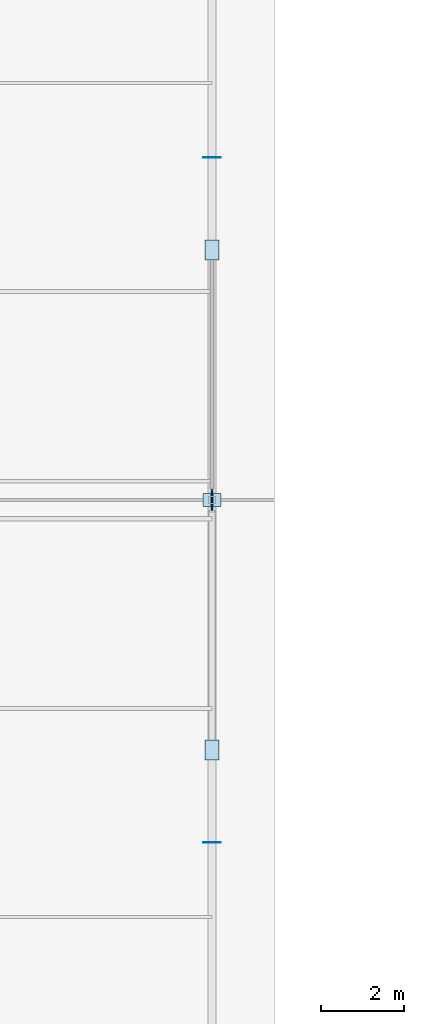
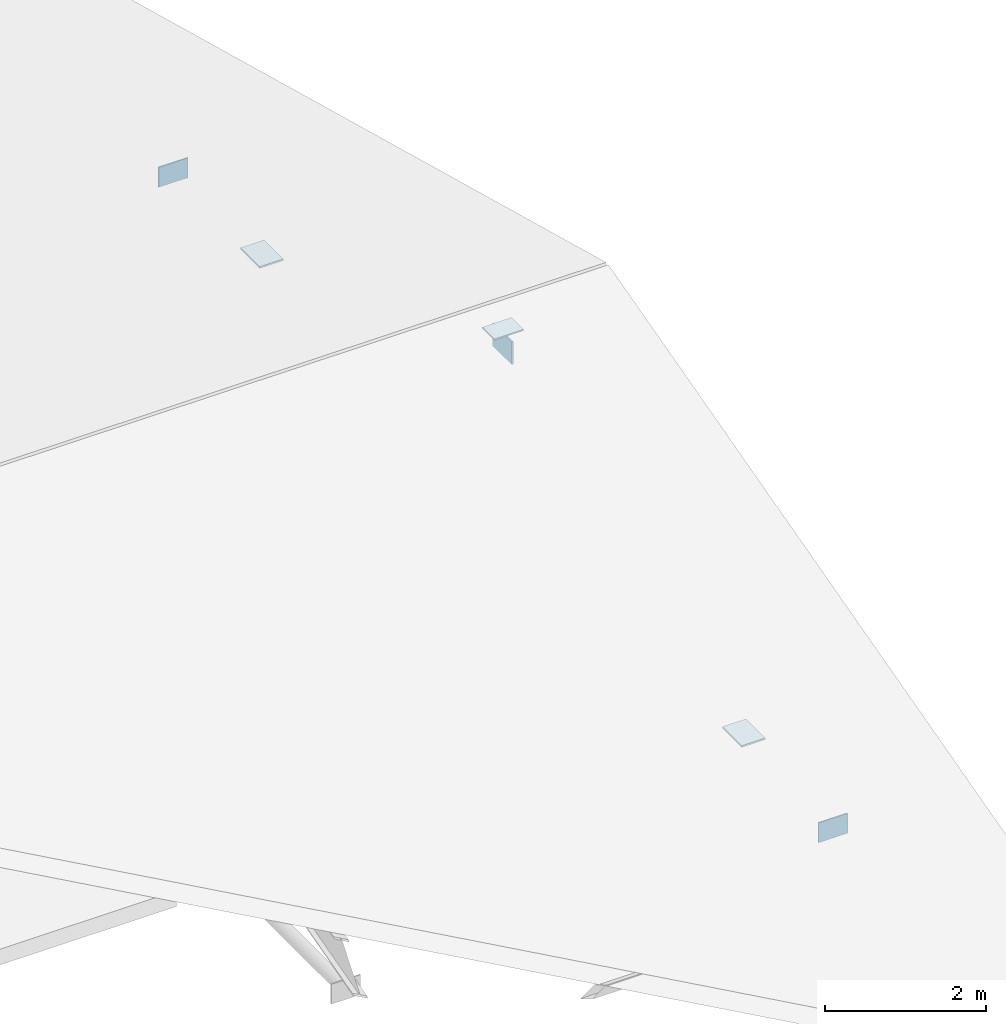
# One storey, part 34 of 76: 6 plates.
"""IFC4 building model written with IfcOpenShell, lengths in metres."""

from ifc_helpers import new_model, si_unit, direction, frame, origin, origin_2d, place, context, subcontext, project, spatial, rectangle, extrude, material, layer, layer_set, type_object, element, save


model = new_model("IFC4")

# Units and contexts
model_context = context("Model", 3, precision=1e-05, world=origin(), true_north=direction((0.0, 1.0)))
body_context = subcontext(model_context, "Body", "Model", "MODEL_VIEW")
ifc_project = project(units=[si_unit("LENGTHUNIT", "METRE"), si_unit("AREAUNIT", "SQUARE_METRE"), si_unit("VOLUMEUNIT", "CUBIC_METRE"), si_unit("PLANEANGLEUNIT", "RADIAN"), si_unit("MASSUNIT", "GRAM", prefix="KILO")], contexts=[model_context])

# Site, building, storey
site_placement = place(None, origin())
site = spatial("IfcSite", under=ifc_project, at=site_placement, CompositionType="ELEMENT")
building_placement = place(site_placement, origin())
building = spatial("IfcBuilding", under=site, at=building_placement, Name="Kiranvali Square Residences", CompositionType="ELEMENT")
storey_placement = place(building_placement, frame((0.0, 0.0, 8.699951171875)))
storey = spatial("IfcBuildingStorey", under=building, at=storey_placement, Name="L02", CompositionType="ELEMENT", Elevation=8.699951171875)

# Plates
ifc_material = material(Name="Structural steel E350", Category="steel")
ifc_layer_1 = layer(ifc_material, 0.02001953125)
ifc_layer_set_1 = layer_set([ifc_layer_1], Name="Structural steel E350")
plate_type_1 = type_object("IfcPlateType", Name="PLT-ENDCAP-20", PredefinedType="SHEET", material=ifc_layer_set_1)
plate_1_placement = place(storey_placement, frame((130.0, 52.0, 3.689453125), z_axis=(0.0, 0.0, 1.0), x_axis=(1.0, 0.0, 0.0)))
element("IfcPlate", 1, at=plate_1_placement, inside=storey, type_object=plate_type_1, Name="Southeast Square Retail Pavilion ridge king-post cap plate 5", PredefinedType="SHEET", context=body_context, shape_type="SweptSolid", body=[
    extrude(rectangle(XDim=0.419921875, YDim=0.300048828125, at=origin_2d()), origin(), (0.0, 0.0, 1.0), 0.02001953125),
])
for number, where, z_axis, x_axis, name in (
    (2, (130.0, 43.7880859375, 0.9501953125), (0.0, 0.0, 1.0), (1.0, 0.0, 0.0), "Southeast Square Retail Pavilion chord end-cap plate 5-S"),
    (3, (130.0, 60.2119140625, 0.9501953125), (0.0, 0.0, 1.0), (1.0, 0.0, 0.0), "Southeast Square Retail Pavilion chord end-cap plate 5-N"),
):
    element("IfcPlate", number, at=place(storey_placement, frame(where, z_axis=z_axis, x_axis=x_axis)), inside=storey, type_object=plate_type_1, Name=name, PredefinedType="SHEET", context=body_context, shape_type="SweptSolid", body=[
        extrude(rectangle(XDim=0.419921875, YDim=0.02001953125, at=origin_2d()), origin(), (0.0, 0.0, 1.0), 0.300048828125),
    ])
ifc_layer_2 = layer(ifc_material, 0.02490234375)
ifc_layer_set_2 = layer_set([ifc_layer_2], Name="Structural steel E350")
plate_type_2 = type_object("IfcPlateType", Name="PLT-GUSSET-25", PredefinedType="USERDEFINED", material=ifc_layer_set_2)
plate_2_placement = place(storey_placement, frame((130.0, 52.0, 3.30712890625), z_axis=(0.0, 0.0, 1.0), x_axis=(1.0, 0.0, 0.0)))
element("IfcPlate", 4, at=plate_2_placement, inside=storey, type_object=plate_type_2, Name="Southeast Square Retail Pavilion ridge truss gusset plate 5", ObjectType="GUSSET PLATE", PredefinedType="USERDEFINED", context=body_context, shape_type="SweptSolid", body=[
    extrude(rectangle(XDim=0.02490234375, YDim=0.47998046875, at=origin_2d()), origin(), (0.0, 0.0, 1.0), 0.340087890625),
])
for number, where, z_axis, x_axis, name in (
    (5, (130.0, 46.0, 1.18408203125), (0.0, 0.0, 1.0), (1.0, 0.0, 0.0), "Southeast Square Retail Pavilion bottom chord brace gusset plate 5-S"),
    (6, (130.0, 58.0, 1.18408203125), (0.0, 0.0, 1.0), (1.0, 0.0, 0.0), "Southeast Square Retail Pavilion bottom chord brace gusset plate 5-N"),
):
    element("IfcPlate", number, at=place(storey_placement, frame(where, z_axis=z_axis, x_axis=x_axis)), inside=storey, type_object=plate_type_2, Name=name, ObjectType="GUSSET PLATE", PredefinedType="USERDEFINED", context=body_context, shape_type="SweptSolid", body=[
        extrude(rectangle(XDim=0.340087890625, YDim=0.47998046875, at=origin_2d()), origin(), (0.0, 0.0, 1.0), 0.02490234375),
    ])

save(model, "model.ifc")
